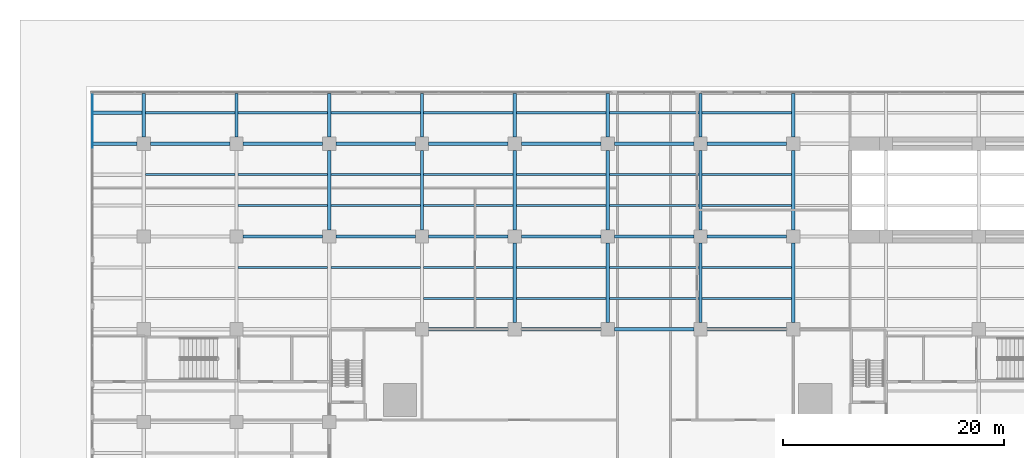
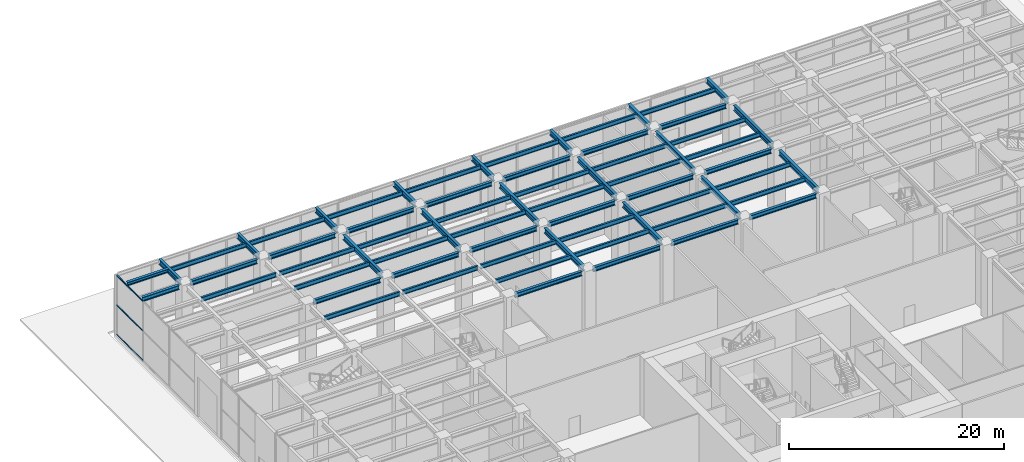
# One storey, part 17 of 43: 67 beams, 3 members, 1 element without a shape of its own.
"""IFC4 building model written with IfcOpenShell, lengths in metres."""

from ifc_helpers import new_model, si_unit, direction, frame, origin, origin_2d, place, context, subcontext, project, spatial, rectangle, i_section, extrude, material, material_profile, profile_set, type_object, element, aggregate, save


model = new_model("IFC4")

# Units and contexts
model_context = context("Model", 3, precision=1e-05, world=origin(), true_north=direction((0.0, 1.0)))
body_context = subcontext(model_context, "Body", "Model", "MODEL_VIEW")
ifc_project = project(units=[si_unit("LENGTHUNIT", "METRE"), si_unit("AREAUNIT", "SQUARE_METRE"), si_unit("VOLUMEUNIT", "CUBIC_METRE"), si_unit("PLANEANGLEUNIT", "RADIAN"), si_unit("MASSUNIT", "GRAM", prefix="KILO")], contexts=[model_context])

# Site, building, storey
site_placement = place(None, origin())
site = spatial("IfcSite", under=ifc_project, at=site_placement, CompositionType="ELEMENT")
building_placement = place(site_placement, origin())
building = spatial("IfcBuilding", under=site, at=building_placement, Name="Khepri Terraces", CompositionType="ELEMENT")
storey_placement = place(building_placement, origin())
storey = spatial("IfcBuildingStorey", under=building, at=storey_placement, Name="L00", CompositionType="ELEMENT", Elevation=0.0)

# Curtain wall, members
ifc_material_1 = material(Name="Anodised aluminium bronze curtain wall", Category="aluminium")
curtain_wall_type = type_object("IfcCurtainWallType", Name="CW-SYS1-LOBBY", PredefinedType="NOTDEFINED", material=ifc_material_1)
curtain_wall_placement = place(storey_placement, origin())
curtain_wall = element("IfcCurtainWall", 1, at=curtain_wall_placement, inside=storey, type_object=curtain_wall_type, Name="Curtain wall CW1 L00 W", PredefinedType="NOTDEFINED")
ifc_material_2 = material(Name="Anodised aluminium bronze", Category="aluminium")
ifc_material_profile_1 = material_profile(ifc_material_2, rectangle(XDim=0.06005859375, YDim=0.1201171875, at=origin_2d()), Name="Anodised aluminium bronze", Category="aluminium")
ifc_profile_set_1 = profile_set([ifc_material_profile_1], Name="Anodised aluminium bronze")
member_type = type_object("IfcMemberType", Name="CW-TRANSOM-60x120", PredefinedType="USERDEFINED", material=ifc_profile_set_1)
member_1_placement = place(storey_placement, frame((-46.64990234375, 46.43994140625, 0.030029296875), z_axis=(0.0, -1.0, 0.0), x_axis=(1.0, 0.0, 0.0)))
member_1 = element("IfcMember", 2, at=member_1_placement, type_object=member_type, Name="CW1 transom 1.1", ObjectType="TRANSOM", PredefinedType="USERDEFINED", context=body_context, shape_type="SweptSolid", body=[
    extrude(rectangle(XDim=0.06005859375, YDim=0.1201171875, at=origin_2d()), origin(), (0.0, 0.0, 1.0), 4.81005859375),
])
member_2_placement = place(storey_placement, frame((-46.64990234375, 46.43994140625, 3.389892578125), z_axis=(0.0, -1.0, 0.0), x_axis=(1.0, 0.0, 0.0)))
member_2 = element("IfcMember", 3, at=member_2_placement, type_object=member_type, Name="CW1 transom 1.2", ObjectType="TRANSOM", PredefinedType="USERDEFINED", context=body_context, shape_type="SweptSolid", body=[
    extrude(rectangle(XDim=0.06005859375, YDim=0.1201171875, at=origin_2d()), origin(), (0.0, 0.0, 1.0), 4.81005859375),
])
member_3_placement = place(storey_placement, frame((-46.64990234375, 46.43994140625, 6.75), z_axis=(0.0, -1.0, 0.0), x_axis=(1.0, 0.0, 0.0)))
member_3 = element("IfcMember", 4, at=member_3_placement, type_object=member_type, Name="CW1 transom 1.3", ObjectType="TRANSOM", PredefinedType="USERDEFINED", context=body_context, shape_type="SweptSolid", body=[
    extrude(rectangle(XDim=0.06005859375, YDim=0.1201171875, at=origin_2d()), origin(), (0.0, 0.0, 1.0), 4.81005859375),
])
aggregate(curtain_wall, [member_1, member_2, member_3])

# Beams
ifc_material_3 = material(Name="Steel S355", Category="steel")
ifc_material_profile_2 = material_profile(ifc_material_3, i_section(OverallWidth=0.300048828125, OverallDepth=0.60009765625, WebThickness=0.015380859375, FlangeThickness=0.030029296875, FilletRadius=0.027099609375, at=origin_2d()), Name="Steel S355", Category="steel")
ifc_profile_set_2 = profile_set([ifc_material_profile_2], Name="Steel S355")
beam_type_1 = type_object("IfcBeamType", Name="Podium cantilever girder L01 HEB 600", PredefinedType="BEAM", material=ifc_profile_set_2)
for number, where, z_axis, x_axis, name in (
    (5, (-42.0, 42.60009765625, 6.699951171875), (0.0, 1.0, 0.0), (-1.0, 0.0, 0.0), "Podium girder L01 012"),
    (6, (-33.60009765625, 42.60009765625, 6.699951171875), (0.0, 1.0, 0.0), (-1.0, 0.0, 0.0), "Podium girder L01 024"),
    (7, (-25.199951171875, 42.60009765625, 6.699951171875), (0.0, 1.0, 0.0), (-1.0, 0.0, 0.0), "Podium girder L01 034"),
    (8, (-16.800048828125, 42.60009765625, 6.699951171875), (0.0, 1.0, 0.0), (-1.0, 0.0, 0.0), "Podium girder L01 040"),
    (9, (-8.39990234375, 42.60009765625, 6.699951171875), (0.0, 1.0, 0.0), (-1.0, 0.0, 0.0), "Podium girder L01 046"),
    (10, (0.0, 42.60009765625, 6.699951171875), (0.0, 1.0, 0.0), (-1.0, 0.0, 0.0), "Podium girder L01 052"),
    (11, (8.39990234375, 42.60009765625, 6.699951171875), (0.0, 1.0, 0.0), (-1.0, 0.0, 0.0), "Podium girder L01 058"),
    (12, (16.800048828125, 42.60009765625, 6.699951171875), (0.0, 1.0, 0.0), (-1.0, 0.0, 0.0), "Podium girder L01 064"),
):
    element("IfcBeam", number, at=place(storey_placement, frame(where, z_axis=z_axis, x_axis=x_axis)), inside=storey, type_object=beam_type_1, Name=name, PredefinedType="BEAM", context=body_context, shape_type="SweptSolid", body=[
        extrude(i_section(OverallWidth=0.300048828125, OverallDepth=0.60009765625, WebThickness=0.015380859375, FlangeThickness=0.030029296875, FilletRadius=0.027099609375, at=origin_2d()), origin(), (0.0, 0.0, 1.0), 3.949951171875),
    ])
ifc_material_profile_3 = material_profile(ifc_material_3, i_section(OverallWidth=0.300048828125, OverallDepth=0.39990234375, WebThickness=0.013427734375, FlangeThickness=0.02392578125, FilletRadius=0.027099609375, at=origin_2d()), Name="Steel S355", Category="steel")
ifc_profile_set_3 = profile_set([ifc_material_profile_3], Name="Steel S355")
beam_type_2 = type_object("IfcBeamType", Name="Podium cantilever joist L01 HEB 400", PredefinedType="JOIST", material=ifc_profile_set_3)
beam_1_placement = place(storey_placement, frame((-46.550048828125, 44.800048828125, 6.800048828125), z_axis=(1.0, 0.0, 0.0), x_axis=(0.0, 1.0, 0.0)))
element("IfcBeam", 13, at=beam_1_placement, inside=storey, type_object=beam_type_2, Name="Podium cantilever joist L01 267", PredefinedType="JOIST", context=body_context, shape_type="SweptSolid", body=[
    extrude(i_section(OverallWidth=0.300048828125, OverallDepth=0.39990234375, WebThickness=0.013427734375, FlangeThickness=0.02392578125, FilletRadius=0.027099609375, at=origin_2d()), origin(), (0.0, 0.0, 1.0), 4.400146484375),
])
ifc_material_profile_4 = material_profile(ifc_material_3, i_section(OverallWidth=0.300048828125, OverallDepth=0.60009765625, WebThickness=0.015380859375, FlangeThickness=0.030029296875, FilletRadius=0.027099609375, at=origin_2d()), Name="Steel S355", Category="steel")
ifc_profile_set_4 = profile_set([ifc_material_profile_4], Name="Steel S355")
beam_type_3 = type_object("IfcBeamType", Name="Podium girder L01 HEB 600", PredefinedType="BEAM", material=ifc_profile_set_4)
for number, where, z_axis, x_axis, name in (
    (14, (-25.199951171875, 34.199951171875, 6.699951171875), (0.0, 1.0, 0.0), (-1.0, 0.0, 0.0), "Podium girder L01 033"),
    (15, (-16.800048828125, 34.199951171875, 6.699951171875), (0.0, 1.0, 0.0), (-1.0, 0.0, 0.0), "Podium girder L01 039"),
    (16, (-8.39990234375, 25.800048828125, 6.699951171875), (0.0, 1.0, 0.0), (-1.0, 0.0, 0.0), "Podium girder L01 044"),
    (17, (-8.39990234375, 34.199951171875, 6.699951171875), (0.0, 1.0, 0.0), (-1.0, 0.0, 0.0), "Podium girder L01 045"),
    (18, (0.0, 25.800048828125, 6.699951171875), (0.0, 1.0, 0.0), (-1.0, 0.0, 0.0), "Podium girder L01 050"),
    (19, (0.0, 34.199951171875, 6.699951171875), (0.0, 1.0, 0.0), (-1.0, 0.0, 0.0), "Podium girder L01 051"),
    (20, (8.39990234375, 25.800048828125, 6.699951171875), (0.0, 1.0, 0.0), (-1.0, 0.0, 0.0), "Podium girder L01 056"),
    (21, (8.39990234375, 34.199951171875, 6.699951171875), (0.0, 1.0, 0.0), (-1.0, 0.0, 0.0), "Podium girder L01 057"),
    (22, (16.800048828125, 25.800048828125, 6.699951171875), (0.0, 1.0, 0.0), (-1.0, 0.0, 0.0), "Podium girder L01 062"),
    (23, (16.800048828125, 34.199951171875, 6.699951171875), (0.0, 1.0, 0.0), (-1.0, 0.0, 0.0), "Podium girder L01 063"),
):
    element("IfcBeam", number, at=place(storey_placement, frame(where, z_axis=z_axis, x_axis=x_axis)), inside=storey, type_object=beam_type_3, Name=name, PredefinedType="BEAM", context=body_context, shape_type="SweptSolid", body=[
        extrude(i_section(OverallWidth=0.300048828125, OverallDepth=0.60009765625, WebThickness=0.015380859375, FlangeThickness=0.030029296875, FilletRadius=0.027099609375, at=origin_2d()), origin(), (0.0, 0.0, 1.0), 7.199951171875),
    ])
ifc_material_profile_5 = material_profile(ifc_material_3, i_section(OverallWidth=0.300048828125, OverallDepth=0.5, WebThickness=0.014404296875, FlangeThickness=0.028076171875, FilletRadius=0.027099609375, at=origin_2d()), Name="Steel S355", Category="steel")
ifc_profile_set_5 = profile_set([ifc_material_profile_5], Name="Steel S355")
beam_type_4 = type_object("IfcBeamType", Name="Podium girder L01 grid line HEB 500", PredefinedType="BEAM", material=ifc_profile_set_5)
for number, where, z_axis, x_axis, name in (
    (24, (-16.199951171875, 25.199951171875, 6.75), (1.0, 0.0, 0.0), (0.0, 1.0, 0.0), "Podium grid-line girder L01 188"),
    (25, (-7.800048828125, 25.199951171875, 6.75), (1.0, 0.0, 0.0), (0.0, 1.0, 0.0), "Podium grid-line girder L01 189"),
    (26, (0.60009765625, 25.199951171875, 6.75), (1.0, 0.0, 0.0), (0.0, 1.0, 0.0), "Podium grid-line girder L01 190"),
    (27, (9.0, 25.199951171875, 6.75), (1.0, 0.0, 0.0), (0.0, 1.0, 0.0), "Podium grid-line girder L01 191"),
    (28, (-33.0, 33.60009765625, 6.75), (1.0, 0.0, 0.0), (0.0, 1.0, 0.0), "Podium grid-line girder L01 221"),
):
    element("IfcBeam", number, at=place(storey_placement, frame(where, z_axis=z_axis, x_axis=x_axis)), inside=storey, type_object=beam_type_4, Name=name, PredefinedType="BEAM", context=body_context, shape_type="SweptSolid", body=[
        extrude(i_section(OverallWidth=0.300048828125, OverallDepth=0.5, WebThickness=0.014404296875, FlangeThickness=0.028076171875, FilletRadius=0.027099609375, at=origin_2d()), origin(), (0.0, 0.0, 1.0), 7.199951171875),
    ])
beam_2_placement = place(storey_placement, frame((-24.60009765625, 33.60009765625, 6.75), z_axis=(1.0, 0.0, 0.0), x_axis=(0.0, 1.0, 0.0)))
element("IfcBeam", 29, at=beam_2_placement, inside=storey, type_object=beam_type_4, Name="Podium grid-line girder L01 222", PredefinedType="BEAM", context=body_context, shape_type="SweptSolid", body=[
    extrude(i_section(OverallWidth=0.300048828125, OverallDepth=0.5, WebThickness=0.014404296875, FlangeThickness=0.028076171875, FilletRadius=0.027099609375, at=origin_2d()), origin(), (0.0, 0.0, 1.0), 7.2001953125),
])
for number, where, z_axis, x_axis, name in (
    (30, (-16.199951171875, 33.60009765625, 6.75), (1.0, 0.0, 0.0), (0.0, 1.0, 0.0), "Podium grid-line girder L01 223"),
    (31, (-7.800048828125, 33.60009765625, 6.75), (1.0, 0.0, 0.0), (0.0, 1.0, 0.0), "Podium grid-line girder L01 224"),
    (32, (0.60009765625, 33.60009765625, 6.75), (1.0, 0.0, 0.0), (0.0, 1.0, 0.0), "Podium grid-line girder L01 225"),
    (33, (9.0, 33.60009765625, 6.75), (1.0, 0.0, 0.0), (0.0, 1.0, 0.0), "Podium grid-line girder L01 226"),
):
    element("IfcBeam", number, at=place(storey_placement, frame(where, z_axis=z_axis, x_axis=x_axis)), inside=storey, type_object=beam_type_4, Name=name, PredefinedType="BEAM", context=body_context, shape_type="SweptSolid", body=[
        extrude(i_section(OverallWidth=0.300048828125, OverallDepth=0.5, WebThickness=0.014404296875, FlangeThickness=0.028076171875, FilletRadius=0.027099609375, at=origin_2d()), origin(), (0.0, 0.0, 1.0), 7.199951171875),
    ])
beam_3_placement = place(storey_placement, frame((-46.550048828125, 42.0, 6.75), z_axis=(1.0, 0.0, 0.0), x_axis=(0.0, 1.0, 0.0)))
element("IfcBeam", 34, at=beam_3_placement, inside=storey, type_object=beam_type_4, Name="Podium grid-line girder L01 255", PredefinedType="BEAM", context=body_context, shape_type="SweptSolid", body=[
    extrude(i_section(OverallWidth=0.300048828125, OverallDepth=0.5, WebThickness=0.014404296875, FlangeThickness=0.028076171875, FilletRadius=0.027099609375, at=origin_2d()), origin(), (0.0, 0.0, 1.0), 3.949951171875),
])
for number, where, z_axis, x_axis, name in (
    (35, (-41.39990234375, 42.0, 6.75), (1.0, 0.0, 0.0), (0.0, 1.0, 0.0), "Podium grid-line girder L01 256"),
    (36, (-33.0, 42.0, 6.75), (1.0, 0.0, 0.0), (0.0, 1.0, 0.0), "Podium grid-line girder L01 257"),
):
    element("IfcBeam", number, at=place(storey_placement, frame(where, z_axis=z_axis, x_axis=x_axis)), inside=storey, type_object=beam_type_4, Name=name, PredefinedType="BEAM", context=body_context, shape_type="SweptSolid", body=[
        extrude(i_section(OverallWidth=0.300048828125, OverallDepth=0.5, WebThickness=0.014404296875, FlangeThickness=0.028076171875, FilletRadius=0.027099609375, at=origin_2d()), origin(), (0.0, 0.0, 1.0), 7.199951171875),
    ])
beam_4_placement = place(storey_placement, frame((-24.60009765625, 42.0, 6.75), z_axis=(1.0, 0.0, 0.0), x_axis=(0.0, 1.0, 0.0)))
element("IfcBeam", 37, at=beam_4_placement, inside=storey, type_object=beam_type_4, Name="Podium grid-line girder L01 258", PredefinedType="BEAM", context=body_context, shape_type="SweptSolid", body=[
    extrude(i_section(OverallWidth=0.300048828125, OverallDepth=0.5, WebThickness=0.014404296875, FlangeThickness=0.028076171875, FilletRadius=0.027099609375, at=origin_2d()), origin(), (0.0, 0.0, 1.0), 7.2001953125),
])
for number, where, z_axis, x_axis, name in (
    (38, (-16.199951171875, 42.0, 6.75), (1.0, 0.0, 0.0), (0.0, 1.0, 0.0), "Podium grid-line girder L01 259"),
    (39, (-7.800048828125, 42.0, 6.75), (1.0, 0.0, 0.0), (0.0, 1.0, 0.0), "Podium grid-line girder L01 260"),
    (40, (0.60009765625, 42.0, 6.75), (1.0, 0.0, 0.0), (0.0, 1.0, 0.0), "Podium grid-line girder L01 261"),
    (41, (9.0, 42.0, 6.75), (1.0, 0.0, 0.0), (0.0, 1.0, 0.0), "Podium grid-line girder L01 262"),
):
    element("IfcBeam", number, at=place(storey_placement, frame(where, z_axis=z_axis, x_axis=x_axis)), inside=storey, type_object=beam_type_4, Name=name, PredefinedType="BEAM", context=body_context, shape_type="SweptSolid", body=[
        extrude(i_section(OverallWidth=0.300048828125, OverallDepth=0.5, WebThickness=0.014404296875, FlangeThickness=0.028076171875, FilletRadius=0.027099609375, at=origin_2d()), origin(), (0.0, 0.0, 1.0), 7.199951171875),
    ])
ifc_material_profile_6 = material_profile(ifc_material_3, i_section(OverallWidth=0.199951171875, OverallDepth=0.5, WebThickness=0.01025390625, FlangeThickness=0.01611328125, FilletRadius=0.02099609375, at=origin_2d()), Name="Steel S355", Category="steel")
ifc_profile_set_6 = profile_set([ifc_material_profile_6], Name="Steel S355")
beam_type_5 = type_object("IfcBeamType", Name="Podium joist L01 IPE 500", PredefinedType="JOIST", material=ifc_profile_set_6)
beam_5_placement = place(storey_placement, frame((-16.64990234375, 28.0, 6.75), z_axis=(1.0, 0.0, 0.0), x_axis=(0.0, 1.0, 0.0)))
element("IfcBeam", 42, at=beam_5_placement, inside=storey, type_object=beam_type_5, Name="Podium joist L01 199", PredefinedType="JOIST", context=body_context, shape_type="SweptSolid", body=[
    extrude(i_section(OverallWidth=0.199951171875, OverallDepth=0.5, WebThickness=0.01025390625, FlangeThickness=0.01611328125, FilletRadius=0.02099609375, at=origin_2d()), origin(), (0.0, 0.0, 1.0), 8.099853515625),
])
for number, where, z_axis, x_axis, name in (
    (43, (-8.25, 28.0, 6.75), (1.0, 0.0, 0.0), (0.0, 1.0, 0.0), "Podium joist L01 200"),
    (44, (0.14990234375, 28.0, 6.75), (1.0, 0.0, 0.0), (0.0, 1.0, 0.0), "Podium joist L01 201"),
):
    element("IfcBeam", number, at=place(storey_placement, frame(where, z_axis=z_axis, x_axis=x_axis)), inside=storey, type_object=beam_type_5, Name=name, PredefinedType="JOIST", context=body_context, shape_type="SweptSolid", body=[
        extrude(i_section(OverallWidth=0.199951171875, OverallDepth=0.5, WebThickness=0.01025390625, FlangeThickness=0.01611328125, FilletRadius=0.02099609375, at=origin_2d()), origin(), (0.0, 0.0, 1.0), 8.10009765625),
    ])
for number, where, z_axis, x_axis, name in (
    (45, (8.550048828125, 28.0, 6.75), (1.0, 0.0, 0.0), (0.0, 1.0, 0.0), "Podium joist L01 202"),
    (46, (-33.449951171875, 30.800048828125, 6.75), (1.0, 0.0, 0.0), (0.0, 1.0, 0.0), "Podium joist L01 209"),
):
    element("IfcBeam", number, at=place(storey_placement, frame(where, z_axis=z_axis, x_axis=x_axis)), inside=storey, type_object=beam_type_5, Name=name, PredefinedType="JOIST", context=body_context, shape_type="SweptSolid", body=[
        extrude(i_section(OverallWidth=0.199951171875, OverallDepth=0.5, WebThickness=0.01025390625, FlangeThickness=0.01611328125, FilletRadius=0.02099609375, at=origin_2d()), origin(), (0.0, 0.0, 1.0), 8.099853515625),
    ])
beam_6_placement = place(storey_placement, frame((-25.050048828125, 30.800048828125, 6.75), z_axis=(1.0, 0.0, 0.0), x_axis=(0.0, 1.0, 0.0)))
element("IfcBeam", 47, at=beam_6_placement, inside=storey, type_object=beam_type_5, Name="Podium joist L01 210", PredefinedType="JOIST", context=body_context, shape_type="SweptSolid", body=[
    extrude(i_section(OverallWidth=0.199951171875, OverallDepth=0.5, WebThickness=0.01025390625, FlangeThickness=0.01611328125, FilletRadius=0.02099609375, at=origin_2d()), origin(), (0.0, 0.0, 1.0), 8.10009765625),
])
beam_7_placement = place(storey_placement, frame((-16.64990234375, 30.800048828125, 6.75), z_axis=(1.0, 0.0, 0.0), x_axis=(0.0, 1.0, 0.0)))
element("IfcBeam", 48, at=beam_7_placement, inside=storey, type_object=beam_type_5, Name="Podium joist L01 211", PredefinedType="JOIST", context=body_context, shape_type="SweptSolid", body=[
    extrude(i_section(OverallWidth=0.199951171875, OverallDepth=0.5, WebThickness=0.01025390625, FlangeThickness=0.01611328125, FilletRadius=0.02099609375, at=origin_2d()), origin(), (0.0, 0.0, 1.0), 8.099853515625),
])
for number, where, z_axis, x_axis, name in (
    (49, (-8.25, 30.800048828125, 6.75), (1.0, 0.0, 0.0), (0.0, 1.0, 0.0), "Podium joist L01 212"),
    (50, (0.14990234375, 30.800048828125, 6.75), (1.0, 0.0, 0.0), (0.0, 1.0, 0.0), "Podium joist L01 213"),
):
    element("IfcBeam", number, at=place(storey_placement, frame(where, z_axis=z_axis, x_axis=x_axis)), inside=storey, type_object=beam_type_5, Name=name, PredefinedType="JOIST", context=body_context, shape_type="SweptSolid", body=[
        extrude(i_section(OverallWidth=0.199951171875, OverallDepth=0.5, WebThickness=0.01025390625, FlangeThickness=0.01611328125, FilletRadius=0.02099609375, at=origin_2d()), origin(), (0.0, 0.0, 1.0), 8.10009765625),
    ])
for number, where, z_axis, x_axis, name in (
    (51, (8.550048828125, 30.800048828125, 6.75), (1.0, 0.0, 0.0), (0.0, 1.0, 0.0), "Podium joist L01 214"),
    (52, (-33.449951171875, 36.39990234375, 6.75), (1.0, 0.0, 0.0), (0.0, 1.0, 0.0), "Podium joist L01 233"),
):
    element("IfcBeam", number, at=place(storey_placement, frame(where, z_axis=z_axis, x_axis=x_axis)), inside=storey, type_object=beam_type_5, Name=name, PredefinedType="JOIST", context=body_context, shape_type="SweptSolid", body=[
        extrude(i_section(OverallWidth=0.199951171875, OverallDepth=0.5, WebThickness=0.01025390625, FlangeThickness=0.01611328125, FilletRadius=0.02099609375, at=origin_2d()), origin(), (0.0, 0.0, 1.0), 8.099853515625),
    ])
beam_8_placement = place(storey_placement, frame((-25.050048828125, 36.39990234375, 6.75), z_axis=(1.0, 0.0, 0.0), x_axis=(0.0, 1.0, 0.0)))
element("IfcBeam", 53, at=beam_8_placement, inside=storey, type_object=beam_type_5, Name="Podium joist L01 234", PredefinedType="JOIST", context=body_context, shape_type="SweptSolid", body=[
    extrude(i_section(OverallWidth=0.199951171875, OverallDepth=0.5, WebThickness=0.01025390625, FlangeThickness=0.01611328125, FilletRadius=0.02099609375, at=origin_2d()), origin(), (0.0, 0.0, 1.0), 8.10009765625),
])
beam_9_placement = place(storey_placement, frame((-16.64990234375, 36.39990234375, 6.75), z_axis=(1.0, 0.0, 0.0), x_axis=(0.0, 1.0, 0.0)))
element("IfcBeam", 54, at=beam_9_placement, inside=storey, type_object=beam_type_5, Name="Podium joist L01 235", PredefinedType="JOIST", context=body_context, shape_type="SweptSolid", body=[
    extrude(i_section(OverallWidth=0.199951171875, OverallDepth=0.5, WebThickness=0.01025390625, FlangeThickness=0.01611328125, FilletRadius=0.02099609375, at=origin_2d()), origin(), (0.0, 0.0, 1.0), 8.099853515625),
])
for number, where, z_axis, x_axis, name in (
    (55, (-8.25, 36.39990234375, 6.75), (1.0, 0.0, 0.0), (0.0, 1.0, 0.0), "Podium joist L01 236"),
    (56, (0.14990234375, 36.39990234375, 6.75), (1.0, 0.0, 0.0), (0.0, 1.0, 0.0), "Podium joist L01 237"),
):
    element("IfcBeam", number, at=place(storey_placement, frame(where, z_axis=z_axis, x_axis=x_axis)), inside=storey, type_object=beam_type_5, Name=name, PredefinedType="JOIST", context=body_context, shape_type="SweptSolid", body=[
        extrude(i_section(OverallWidth=0.199951171875, OverallDepth=0.5, WebThickness=0.01025390625, FlangeThickness=0.01611328125, FilletRadius=0.02099609375, at=origin_2d()), origin(), (0.0, 0.0, 1.0), 8.10009765625),
    ])
beam_10_placement = place(storey_placement, frame((8.550048828125, 36.39990234375, 6.75), z_axis=(1.0, 0.0, 0.0), x_axis=(0.0, 1.0, 0.0)))
element("IfcBeam", 57, at=beam_10_placement, inside=storey, type_object=beam_type_5, Name="Podium joist L01 238", PredefinedType="JOIST", context=body_context, shape_type="SweptSolid", body=[
    extrude(i_section(OverallWidth=0.199951171875, OverallDepth=0.5, WebThickness=0.01025390625, FlangeThickness=0.01611328125, FilletRadius=0.02099609375, at=origin_2d()), origin(), (0.0, 0.0, 1.0), 8.099853515625),
])
beam_11_placement = place(storey_placement, frame((-41.85009765625, 39.199951171875, 6.75), z_axis=(1.0, 0.0, 0.0), x_axis=(0.0, 1.0, 0.0)))
element("IfcBeam", 58, at=beam_11_placement, inside=storey, type_object=beam_type_5, Name="Podium joist L01 244", PredefinedType="JOIST", context=body_context, shape_type="SweptSolid", body=[
    extrude(i_section(OverallWidth=0.199951171875, OverallDepth=0.5, WebThickness=0.01025390625, FlangeThickness=0.01611328125, FilletRadius=0.02099609375, at=origin_2d()), origin(), (0.0, 0.0, 1.0), 8.10009765625),
])
beam_12_placement = place(storey_placement, frame((-33.449951171875, 39.199951171875, 6.75), z_axis=(1.0, 0.0, 0.0), x_axis=(0.0, 1.0, 0.0)))
element("IfcBeam", 59, at=beam_12_placement, inside=storey, type_object=beam_type_5, Name="Podium joist L01 245", PredefinedType="JOIST", context=body_context, shape_type="SweptSolid", body=[
    extrude(i_section(OverallWidth=0.199951171875, OverallDepth=0.5, WebThickness=0.01025390625, FlangeThickness=0.01611328125, FilletRadius=0.02099609375, at=origin_2d()), origin(), (0.0, 0.0, 1.0), 8.099853515625),
])
beam_13_placement = place(storey_placement, frame((-25.050048828125, 39.199951171875, 6.75), z_axis=(1.0, 0.0, 0.0), x_axis=(0.0, 1.0, 0.0)))
element("IfcBeam", 60, at=beam_13_placement, inside=storey, type_object=beam_type_5, Name="Podium joist L01 246", PredefinedType="JOIST", context=body_context, shape_type="SweptSolid", body=[
    extrude(i_section(OverallWidth=0.199951171875, OverallDepth=0.5, WebThickness=0.01025390625, FlangeThickness=0.01611328125, FilletRadius=0.02099609375, at=origin_2d()), origin(), (0.0, 0.0, 1.0), 8.10009765625),
])
beam_14_placement = place(storey_placement, frame((-16.64990234375, 39.199951171875, 6.75), z_axis=(1.0, 0.0, 0.0), x_axis=(0.0, 1.0, 0.0)))
element("IfcBeam", 61, at=beam_14_placement, inside=storey, type_object=beam_type_5, Name="Podium joist L01 247", PredefinedType="JOIST", context=body_context, shape_type="SweptSolid", body=[
    extrude(i_section(OverallWidth=0.199951171875, OverallDepth=0.5, WebThickness=0.01025390625, FlangeThickness=0.01611328125, FilletRadius=0.02099609375, at=origin_2d()), origin(), (0.0, 0.0, 1.0), 8.099853515625),
])
for number, where, z_axis, x_axis, name in (
    (62, (-8.25, 39.199951171875, 6.75), (1.0, 0.0, 0.0), (0.0, 1.0, 0.0), "Podium joist L01 248"),
    (63, (0.14990234375, 39.199951171875, 6.75), (1.0, 0.0, 0.0), (0.0, 1.0, 0.0), "Podium joist L01 249"),
):
    element("IfcBeam", number, at=place(storey_placement, frame(where, z_axis=z_axis, x_axis=x_axis)), inside=storey, type_object=beam_type_5, Name=name, PredefinedType="JOIST", context=body_context, shape_type="SweptSolid", body=[
        extrude(i_section(OverallWidth=0.199951171875, OverallDepth=0.5, WebThickness=0.01025390625, FlangeThickness=0.01611328125, FilletRadius=0.02099609375, at=origin_2d()), origin(), (0.0, 0.0, 1.0), 8.10009765625),
    ])
beam_15_placement = place(storey_placement, frame((8.550048828125, 39.199951171875, 6.75), z_axis=(1.0, 0.0, 0.0), x_axis=(0.0, 1.0, 0.0)))
element("IfcBeam", 64, at=beam_15_placement, inside=storey, type_object=beam_type_5, Name="Podium joist L01 250", PredefinedType="JOIST", context=body_context, shape_type="SweptSolid", body=[
    extrude(i_section(OverallWidth=0.199951171875, OverallDepth=0.5, WebThickness=0.01025390625, FlangeThickness=0.01611328125, FilletRadius=0.02099609375, at=origin_2d()), origin(), (0.0, 0.0, 1.0), 8.099853515625),
])
beam_16_placement = place(storey_placement, frame((-41.85009765625, 44.800048828125, 6.75), z_axis=(1.0, 0.0, 0.0), x_axis=(0.0, 1.0, 0.0)))
element("IfcBeam", 65, at=beam_16_placement, inside=storey, type_object=beam_type_5, Name="Podium joist L01 268", PredefinedType="JOIST", context=body_context, shape_type="SweptSolid", body=[
    extrude(i_section(OverallWidth=0.199951171875, OverallDepth=0.5, WebThickness=0.01025390625, FlangeThickness=0.01611328125, FilletRadius=0.02099609375, at=origin_2d()), origin(), (0.0, 0.0, 1.0), 8.10009765625),
])
beam_17_placement = place(storey_placement, frame((-33.449951171875, 44.800048828125, 6.75), z_axis=(1.0, 0.0, 0.0), x_axis=(0.0, 1.0, 0.0)))
element("IfcBeam", 66, at=beam_17_placement, inside=storey, type_object=beam_type_5, Name="Podium joist L01 269", PredefinedType="JOIST", context=body_context, shape_type="SweptSolid", body=[
    extrude(i_section(OverallWidth=0.199951171875, OverallDepth=0.5, WebThickness=0.01025390625, FlangeThickness=0.01611328125, FilletRadius=0.02099609375, at=origin_2d()), origin(), (0.0, 0.0, 1.0), 8.099853515625),
])
beam_18_placement = place(storey_placement, frame((-25.050048828125, 44.800048828125, 6.75), z_axis=(1.0, 0.0, 0.0), x_axis=(0.0, 1.0, 0.0)))
element("IfcBeam", 67, at=beam_18_placement, inside=storey, type_object=beam_type_5, Name="Podium joist L01 270", PredefinedType="JOIST", context=body_context, shape_type="SweptSolid", body=[
    extrude(i_section(OverallWidth=0.199951171875, OverallDepth=0.5, WebThickness=0.01025390625, FlangeThickness=0.01611328125, FilletRadius=0.02099609375, at=origin_2d()), origin(), (0.0, 0.0, 1.0), 8.10009765625),
])
beam_19_placement = place(storey_placement, frame((-16.64990234375, 44.800048828125, 6.75), z_axis=(1.0, 0.0, 0.0), x_axis=(0.0, 1.0, 0.0)))
element("IfcBeam", 68, at=beam_19_placement, inside=storey, type_object=beam_type_5, Name="Podium joist L01 271", PredefinedType="JOIST", context=body_context, shape_type="SweptSolid", body=[
    extrude(i_section(OverallWidth=0.199951171875, OverallDepth=0.5, WebThickness=0.01025390625, FlangeThickness=0.01611328125, FilletRadius=0.02099609375, at=origin_2d()), origin(), (0.0, 0.0, 1.0), 8.099853515625),
])
for number, where, z_axis, x_axis, name in (
    (69, (-8.25, 44.800048828125, 6.75), (1.0, 0.0, 0.0), (0.0, 1.0, 0.0), "Podium joist L01 272"),
    (70, (0.14990234375, 44.800048828125, 6.75), (1.0, 0.0, 0.0), (0.0, 1.0, 0.0), "Podium joist L01 273"),
):
    element("IfcBeam", number, at=place(storey_placement, frame(where, z_axis=z_axis, x_axis=x_axis)), inside=storey, type_object=beam_type_5, Name=name, PredefinedType="JOIST", context=body_context, shape_type="SweptSolid", body=[
        extrude(i_section(OverallWidth=0.199951171875, OverallDepth=0.5, WebThickness=0.01025390625, FlangeThickness=0.01611328125, FilletRadius=0.02099609375, at=origin_2d()), origin(), (0.0, 0.0, 1.0), 8.10009765625),
    ])
beam_20_placement = place(storey_placement, frame((8.550048828125, 44.800048828125, 6.75), z_axis=(1.0, 0.0, 0.0), x_axis=(0.0, 1.0, 0.0)))
element("IfcBeam", 71, at=beam_20_placement, inside=storey, type_object=beam_type_5, Name="Podium joist L01 274", PredefinedType="JOIST", context=body_context, shape_type="SweptSolid", body=[
    extrude(i_section(OverallWidth=0.199951171875, OverallDepth=0.5, WebThickness=0.01025390625, FlangeThickness=0.01611328125, FilletRadius=0.02099609375, at=origin_2d()), origin(), (0.0, 0.0, 1.0), 8.099853515625),
])

save(model, "model.ifc")
